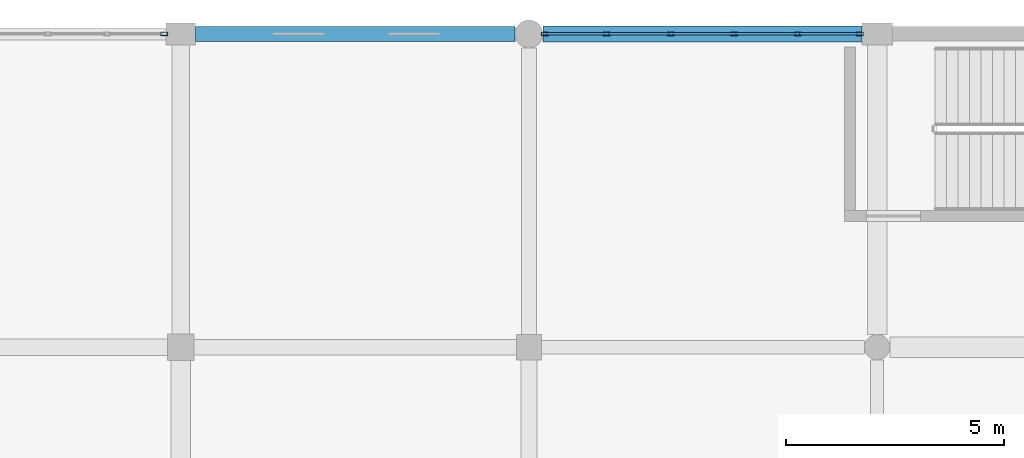
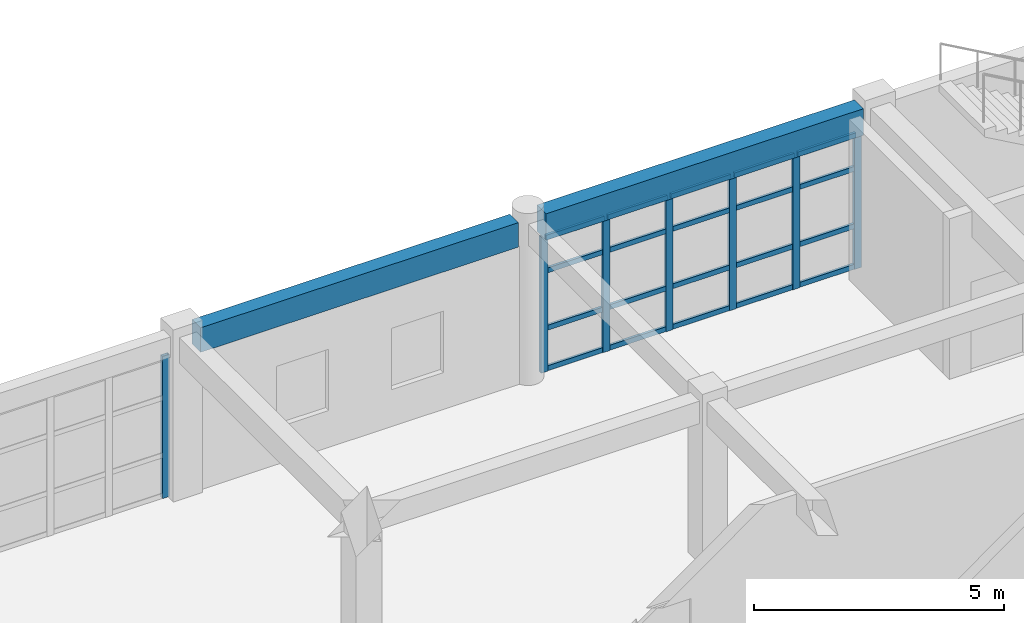
# One storey, part 30 of 53: 27 members, 2 beams, 2 elements without a shape of their own.
"""IFC4 building model written with IfcOpenShell, lengths in metres."""

import ifcopenshell
import ifcopenshell.guid

model = None  # the IFC model being written
_history = None  # IfcOwnerHistory: only IFC2X3 demands one
_inside = {}  # id of a spatial element -> (the spatial element, [elements in it])
_under = {}  # id of a project, library or spatial element -> (it, [spatial elements below it])
_declared = {}  # id of a project -> (the project, [libraries it declares])
_typed = {}  # id of a type object -> (the type object, [elements of that type])
_made_of = {}  # id of a material, layer set ... -> (it, [elements and type objects made of it])


def new_model(schema):
    """Start an empty IFC model of exactly this schema.

    Asked for "IFC4X3", IfcOpenShell would pick the latest addendum, in which some entities
    have other attributes; the version numbers below select the first issue.
    IFC2X3 requires an IfcOwnerHistory on every rooted entity: one is made here for all.
    """
    global model, _history
    if schema == "IFC4X3":
        model = ifcopenshell.file(schema_version=(4, 3, 0, 0))
    else:
        model = ifcopenshell.file(schema=schema)
    _inside.clear()
    _under.clear()
    _declared.clear()
    _typed.clear()
    _made_of.clear()
    _history = None
    if model.schema == "IFC2X3":
        org = make("IfcOrganization", Name="unknown")
        user = make(
            "IfcPersonAndOrganization",
            ThePerson=make("IfcPerson", FamilyName="unknown"),
            TheOrganization=org,
        )
        app = make(
            "IfcApplication",
            ApplicationDeveloper=org,
            Version="unknown",
            ApplicationFullName="unknown",
            ApplicationIdentifier="unknown",
        )
        _history = make(
            "IfcOwnerHistory",
            OwningUser=user,
            OwningApplication=app,
            ChangeAction="ADDED",
            CreationDate=0,
        )
    return model


def make(cls, **values):
    """One entity of the class cls with the attributes given. An attribute that is None is left unset."""
    return model.create_entity(
        cls, **{name: value for name, value in values.items() if value is not None}
    )


def rooted(cls, **values):
    """An entity with a GlobalId (a new one), such as an element, a storey or a relation."""
    return make(cls, GlobalId=ifcopenshell.guid.new(), OwnerHistory=_history, **values)


def si_unit(unit_type, name, prefix=None):
    """IfcSIUnit, for example si_unit("LENGTHUNIT", "METRE", prefix="MILLI")."""
    return make("IfcSIUnit", UnitType=unit_type, Prefix=prefix, Name=name)


def assignment(units):
    """IfcUnitAssignment: the units of a project."""
    return None if units is None else make("IfcUnitAssignment", Units=units)


def point(xyz):
    """IfcCartesianPoint."""
    return None if xyz is None else make("IfcCartesianPoint", Coordinates=xyz)


def direction(xyz):
    """IfcDirection."""
    return None if xyz is None else make("IfcDirection", DirectionRatios=xyz)


def frame(location, z_axis=None, x_axis=None):
    """IfcAxis2Placement3D, a coordinate frame: its origin and axes. An axis left out is left unset."""
    return make(
        "IfcAxis2Placement3D",
        Location=point(location),
        Axis=direction(z_axis),
        RefDirection=direction(x_axis),
    )


def frame_2d(location, x_axis=None):
    """IfcAxis2Placement2D, a coordinate frame in the plane: its origin and x axis."""
    return make(
        "IfcAxis2Placement2D", Location=point(location), RefDirection=direction(x_axis)
    )


def origin():
    """The frame at (0, 0, 0) with its axes left unset."""
    return frame((0.0, 0.0, 0.0))


def origin_2d():
    """The frame at (0, 0) in the plane with its x axis left unset."""
    return frame_2d((0.0, 0.0))


def place(relative_to, where):
    """IfcLocalPlacement: puts the frame where relative to a parent placement (None: the world)."""
    return make(
        "IfcLocalPlacement", PlacementRelTo=relative_to, RelativePlacement=where
    )


def context(
    kind, dimensions, precision=None, world=None, true_north=None, identifier=None
):
    """IfcGeometricRepresentationContext, for example the 3D "Model" context."""
    return make(
        "IfcGeometricRepresentationContext",
        ContextIdentifier=identifier,
        ContextType=kind,
        CoordinateSpaceDimension=dimensions,
        Precision=precision,
        WorldCoordinateSystem=world,
        TrueNorth=true_north,
    )


def subcontext(parent, identifier, kind, view, scale=None):
    """IfcGeometricRepresentationSubContext, for example "Body" below "Model"."""
    return make(
        "IfcGeometricRepresentationSubContext",
        ContextIdentifier=identifier,
        ContextType=kind,
        ParentContext=parent,
        TargetScale=scale,
        TargetView=view,
    )


def project(units=None, contexts=None):
    """IfcProject with its units and contexts."""
    return rooted(
        "IfcProject",
        Name="project",
        RepresentationContexts=contexts,
        UnitsInContext=assignment(units),
    )


def spatial(cls, under=None, at=None, **own):
    """A site, building, storey or space (cls), placed at a placement, below another one or the project."""
    s = rooted(cls, ObjectPlacement=at, **own)
    if under is not None:
        _under.setdefault(under.id(), (under, []))[1].append(s)
    return s


def profile(cls, at=None, kind="AREA", **sizes):
    """A parametric profile (cls). Its sizes go by their IFC names, for example OverallWidth=200.0."""
    return make(cls, ProfileType=kind, Position=at, **sizes)


def rectangle(**sizes):
    """IfcRectangleProfileDef."""
    return profile("IfcRectangleProfileDef", **sizes)


def hollow_rectangle(**sizes):
    """IfcRectangleHollowProfileDef."""
    return profile("IfcRectangleHollowProfileDef", **sizes)


def extrude(swept, where, along, depth):
    """IfcExtrudedAreaSolid: the profile swept, set in the frame where, extruded along a direction by depth."""
    return make(
        "IfcExtrudedAreaSolid",
        SweptArea=swept,
        Position=where,
        ExtrudedDirection=direction(along),
        Depth=depth,
    )


def shape(context_of_items, identifier, shape_type, items):
    """IfcShapeRepresentation: the items that make up one representation, for example the "Body"."""
    return make(
        "IfcShapeRepresentation",
        ContextOfItems=context_of_items,
        RepresentationIdentifier=identifier,
        RepresentationType=shape_type,
        Items=items,
    )


def material(Name=None, Category=None):
    """IfcMaterial."""
    return make("IfcMaterial", Name=Name, Category=Category)


def material_profile(
    of_material, cross_section, Name=None, Category=None, Priority=None
):
    """IfcMaterialProfile: a cross section and its material."""
    return make(
        "IfcMaterialProfile",
        Name=Name,
        Material=of_material,
        Profile=cross_section,
        Priority=Priority,
        Category=Category,
    )


def profile_set(profiles, Name=None, composite=None):
    """IfcMaterialProfileSet."""
    return make(
        "IfcMaterialProfileSet",
        Name=Name,
        MaterialProfiles=profiles,
        CompositeProfile=composite,
    )


def made_of(thing, what):
    """Note that an element or type object is made of a material, layer set ...; save() writes the relation."""
    if what is not None:
        _made_of.setdefault(what.id(), (what, []))[1].append(thing)
    return thing


def type_object(cls, material=None, **own):
    """A type object (cls), such as IfcWallType, which elements share."""
    return made_of(rooted(cls, **own), material)


def element(
    cls,
    number,
    at=None,
    inside=None,
    cuts=None,
    type_object=None,
    material=None,
    context=None,
    identifier="Body",
    shape_type=None,
    held_by="IfcProductDefinitionShape",
    body=None,
    shapes=None,
    **own,
):
    """One element of the class cls, such as IfcWall. Its Tag is "e" and its number.

    at: its placement. inside: the storey or other place that contains it. cuts: it is an
    opening in that element (IfcRelVoidsElement). A single representation is given by context,
    identifier, shape_type and body (its items); several are given by shapes. held_by: the class
    of the entity that holds the representations. save() writes the other relations.
    """
    e = rooted(cls, Tag="e%d" % number, ObjectPlacement=at, **own)
    if body is not None:
        shapes = [shape(context, identifier, shape_type, body)]
    if shapes is not None:
        e.Representation = make(held_by, Representations=shapes)
    if inside is not None:
        _inside.setdefault(inside.id(), (inside, []))[1].append(e)
    if cuts is not None:
        rooted(
            "IfcRelVoidsElement", RelatingBuildingElement=cuts, RelatedOpeningElement=e
        )
    if type_object is not None:
        _typed.setdefault(type_object.id(), (type_object, []))[1].append(e)
    return made_of(e, material)


def aggregate(whole, parts):
    """IfcRelAggregates: a whole, such as a stair, and the parts it consists of."""
    return rooted("IfcRelAggregates", RelatingObject=whole, RelatedObjects=parts)


def save(model, path):
    """Write the relations noted so far, then the file.

    IfcRelAggregates (storeys below a building ...), IfcRelContainedInSpatialStructure (elements
    in a storey), IfcRelDefinesByType, IfcRelAssociatesMaterial and IfcRelDeclares: one each for
    every whole, place, type object, material and project.
    """
    for whole, parts in _under.values():
        aggregate(whole, parts)
    for where, things in _inside.values():
        rooted(
            "IfcRelContainedInSpatialStructure",
            RelatedElements=things,
            RelatingStructure=where,
        )
    for kind, things in _typed.values():
        rooted("IfcRelDefinesByType", RelatedObjects=things, RelatingType=kind)
    for what, things in _made_of.values():
        rooted("IfcRelAssociatesMaterial", RelatedObjects=things, RelatingMaterial=what)
    for by, libraries in _declared.values():
        rooted("IfcRelDeclares", RelatingContext=by, RelatedDefinitions=libraries)
    model.write(path)


model = new_model("IFC4")

# Units and contexts
model_context = context("Model", 3, precision=1e-05, world=origin(), true_north=direction((0.0, 1.0)))
body_context = subcontext(model_context, "Body", "Model", "MODEL_VIEW")
ifc_project = project(units=[si_unit("LENGTHUNIT", "METRE"), si_unit("AREAUNIT", "SQUARE_METRE"), si_unit("VOLUMEUNIT", "CUBIC_METRE"), si_unit("PLANEANGLEUNIT", "RADIAN"), si_unit("MASSUNIT", "GRAM", prefix="KILO")], contexts=[model_context])

# Site, building, storey
site_placement = place(None, origin())
site = spatial("IfcSite", under=ifc_project, at=site_placement, CompositionType="ELEMENT")
building_placement = place(site_placement, origin())
building = spatial("IfcBuilding", under=site, at=building_placement, Name="Kharva Crest Polytechnic", CompositionType="ELEMENT")
storey_placement = place(building_placement, frame((0.0, 0.0, 17.39990234375)))
storey = spatial("IfcBuildingStorey", under=building, at=storey_placement, Name="L04", CompositionType="ELEMENT", Elevation=17.39990234375)

# Curtain wall, members
ifc_material_1 = material(Name="Tempered insulated glass", Category="glass")
curtain_wall_type = type_object("IfcCurtainWallType", Name="CW-SYS-STUDIO", PredefinedType="USERDEFINED", material=ifc_material_1)
curtain_wall_1_placement = place(storey_placement, origin())
curtain_wall_1 = element("IfcCurtainWall", 1, at=curtain_wall_1_placement, inside=storey, type_object=curtain_wall_type, Name="L04 Glazed Curtain Wall CW-175", ObjectType="CURTAIN WALL", PredefinedType="USERDEFINED")
ifc_material_2 = material(Name="Steel S355", Category="steel")
ifc_material_profile_1 = material_profile(ifc_material_2, hollow_rectangle(XDim=0.080078125, YDim=0.159912109375, WallThickness=0.0048828125, at=origin_2d()), Name="RHS 160X80X5.0")
ifc_profile_set_1 = profile_set([ifc_material_profile_1], Name="Steel S355")
member_type_1 = type_object("IfcMemberType", Name="CWM-RHS160X80", PredefinedType="MULLION", material=ifc_profile_set_1)
member_1_placement = place(storey_placement, frame((144.405029296875, 122.0, 0.0), z_axis=(0.0, 0.0, 1.0), x_axis=(0.0, -1.0, 0.0)))
member_1 = element("IfcMember", 2, at=member_1_placement, type_object=member_type_1, Name="CW-175 mullion 1", PredefinedType="MULLION", context=body_context, shape_type="SweptSolid", body=[
    extrude(hollow_rectangle(XDim=0.080078125, YDim=0.159912109375, WallThickness=0.0048828125, at=origin_2d()), origin(), (0.0, 0.0, 1.0), 3.320068359375),
])
member_2_placement = place(storey_placement, frame((142.98095703125, 122.0, 0.0), z_axis=(0.0, 0.0, 1.0), x_axis=(0.0, -1.0, 0.0)))
member_2 = element("IfcMember", 3, at=member_2_placement, type_object=member_type_1, Name="CW-175 mullion 2", PredefinedType="MULLION", context=body_context, shape_type="SweptSolid", body=[
    extrude(hollow_rectangle(XDim=0.080078125, YDim=0.159912109375, WallThickness=0.0048828125, at=origin_2d()), origin(), (0.0, 0.0, 1.0), 3.320068359375),
])
member_3_placement = place(storey_placement, frame((141.51708984375, 122.0, 0.0), z_axis=(0.0, 0.0, 1.0), x_axis=(0.0, -1.0, 0.0)))
member_3 = element("IfcMember", 4, at=member_3_placement, type_object=member_type_1, Name="CW-175 mullion 3", PredefinedType="MULLION", context=body_context, shape_type="SweptSolid", body=[
    extrude(hollow_rectangle(XDim=0.080078125, YDim=0.159912109375, WallThickness=0.0048828125, at=origin_2d()), origin(), (0.0, 0.0, 1.0), 3.320068359375),
])
member_4_placement = place(storey_placement, frame((140.052978515625, 122.0, 0.0), z_axis=(0.0, 0.0, 1.0), x_axis=(0.0, -1.0, 0.0)))
member_4 = element("IfcMember", 5, at=member_4_placement, type_object=member_type_1, Name="CW-175 mullion 4", PredefinedType="MULLION", context=body_context, shape_type="SweptSolid", body=[
    extrude(hollow_rectangle(XDim=0.080078125, YDim=0.159912109375, WallThickness=0.0048828125, at=origin_2d()), origin(), (0.0, 0.0, 1.0), 3.320068359375),
])
member_5_placement = place(storey_placement, frame((138.589111328125, 122.0, 0.0), z_axis=(0.0, 0.0, 1.0), x_axis=(0.0, -1.0, 0.0)))
member_5 = element("IfcMember", 6, at=member_5_placement, type_object=member_type_1, Name="CW-175 mullion 5", PredefinedType="MULLION", context=body_context, shape_type="SweptSolid", body=[
    extrude(hollow_rectangle(XDim=0.080078125, YDim=0.159912109375, WallThickness=0.0048828125, at=origin_2d()), origin(), (0.0, 0.0, 1.0), 3.320068359375),
])
member_6_placement = place(storey_placement, frame((137.1650390625, 122.0, 0.0), z_axis=(0.0, 0.0, 1.0), x_axis=(0.0, -1.0, 0.0)))
member_6 = element("IfcMember", 7, at=member_6_placement, type_object=member_type_1, Name="CW-175 mullion 6", PredefinedType="MULLION", context=body_context, shape_type="SweptSolid", body=[
    extrude(hollow_rectangle(XDim=0.080078125, YDim=0.159912109375, WallThickness=0.0048828125, at=origin_2d()), origin(), (0.0, 0.0, 1.0), 3.320068359375),
])

# Curtain wall, member
curtain_wall_2_placement = place(storey_placement, origin())
curtain_wall_2 = element("IfcCurtainWall", 8, at=curtain_wall_2_placement, inside=storey, type_object=curtain_wall_type, Name="L04 Glazed Curtain Wall CW-176", ObjectType="CURTAIN WALL", PredefinedType="USERDEFINED")
member_7_placement = place(storey_placement, frame((128.4150390625, 122.0, 0.0), z_axis=(0.0, 0.0, 1.0), x_axis=(0.0, -1.0, 0.0)))
member_7 = element("IfcMember", 9, at=member_7_placement, type_object=member_type_1, Name="CW-176 mullion 1", PredefinedType="MULLION", context=body_context, shape_type="SweptSolid", body=[
    extrude(hollow_rectangle(XDim=0.080078125, YDim=0.159912109375, WallThickness=0.0048828125, at=origin_2d()), origin(), (0.0, 0.0, 1.0), 3.47021484375),
])
aggregate(curtain_wall_2, [member_7])

# Member
ifc_material_profile_2 = material_profile(ifc_material_2, hollow_rectangle(XDim=0.06005859375, YDim=0.1201171875, WallThickness=0.00390625, at=origin_2d()), Name="RHS 120X60X4.0")
ifc_profile_set_2 = profile_set([ifc_material_profile_2], Name="Steel S355")
member_type_2 = type_object("IfcMemberType", Name="CWT-RHS120X60", PredefinedType="USERDEFINED", material=ifc_profile_set_2)
member_8_placement = place(storey_placement, frame((144.364990234375, 122.0, 0.06005859375), z_axis=(-1.0, 0.0, 0.0), x_axis=(0.0, -1.0, 0.0)))
member_8 = element("IfcMember", 10, at=member_8_placement, type_object=member_type_2, Name="CW-175 transom 1.1", ObjectType="TRANSOM", PredefinedType="USERDEFINED", context=body_context, shape_type="SweptSolid", body=[
    extrude(hollow_rectangle(XDim=0.06005859375, YDim=0.1201171875, WallThickness=0.00390625, at=origin_2d()), origin(), (0.0, 0.0, 1.0), 1.343994140625),
])

member_9_placement = place(storey_placement, frame((144.364990234375, 122.0, 1.050048828125), z_axis=(-1.0, 0.0, 0.0), x_axis=(0.0, -1.0, 0.0)))
member_9 = element("IfcMember", 11, at=member_9_placement, type_object=member_type_2, Name="CW-175 transom 1.2", ObjectType="TRANSOM", PredefinedType="USERDEFINED", context=body_context, shape_type="SweptSolid", body=[
    extrude(hollow_rectangle(XDim=0.06005859375, YDim=0.1201171875, WallThickness=0.00390625, at=origin_2d()), origin(), (0.0, 0.0, 1.0), 1.343994140625),
])

member_10_placement = place(storey_placement, frame((144.364990234375, 122.0, 2.4501953125), z_axis=(-1.0, 0.0, 0.0), x_axis=(0.0, -1.0, 0.0)))
member_10 = element("IfcMember", 12, at=member_10_placement, type_object=member_type_2, Name="CW-175 transom 1.3", ObjectType="TRANSOM", PredefinedType="USERDEFINED", context=body_context, shape_type="SweptSolid", body=[
    extrude(hollow_rectangle(XDim=0.06005859375, YDim=0.1201171875, WallThickness=0.00390625, at=origin_2d()), origin(), (0.0, 0.0, 1.0), 1.343994140625),
])

member_11_placement = place(storey_placement, frame((144.364990234375, 122.0, 3.260009765625), z_axis=(-1.0, 0.0, 0.0), x_axis=(0.0, -1.0, 0.0)))
member_11 = element("IfcMember", 13, at=member_11_placement, type_object=member_type_2, Name="CW-175 transom 1.4", ObjectType="TRANSOM", PredefinedType="USERDEFINED", context=body_context, shape_type="SweptSolid", body=[
    extrude(hollow_rectangle(XDim=0.06005859375, YDim=0.1201171875, WallThickness=0.00390625, at=origin_2d()), origin(), (0.0, 0.0, 1.0), 1.343994140625),
])

member_12_placement = place(storey_placement, frame((142.94091796875, 122.0, 0.06005859375), z_axis=(-1.0, 0.0, 0.0), x_axis=(0.0, -1.0, 0.0)))
member_12 = element("IfcMember", 14, at=member_12_placement, type_object=member_type_2, Name="CW-175 transom 2.1", ObjectType="TRANSOM", PredefinedType="USERDEFINED", context=body_context, shape_type="SweptSolid", body=[
    extrude(hollow_rectangle(XDim=0.06005859375, YDim=0.1201171875, WallThickness=0.00390625, at=origin_2d()), origin(), (0.0, 0.0, 1.0), 1.384033203125),
])

member_13_placement = place(storey_placement, frame((142.94091796875, 122.0, 1.050048828125), z_axis=(-1.0, 0.0, 0.0), x_axis=(0.0, -1.0, 0.0)))
member_13 = element("IfcMember", 15, at=member_13_placement, type_object=member_type_2, Name="CW-175 transom 2.2", ObjectType="TRANSOM", PredefinedType="USERDEFINED", context=body_context, shape_type="SweptSolid", body=[
    extrude(hollow_rectangle(XDim=0.06005859375, YDim=0.1201171875, WallThickness=0.00390625, at=origin_2d()), origin(), (0.0, 0.0, 1.0), 1.384033203125),
])

member_14_placement = place(storey_placement, frame((142.94091796875, 122.0, 2.4501953125), z_axis=(-1.0, 0.0, 0.0), x_axis=(0.0, -1.0, 0.0)))
member_14 = element("IfcMember", 16, at=member_14_placement, type_object=member_type_2, Name="CW-175 transom 2.3", ObjectType="TRANSOM", PredefinedType="USERDEFINED", context=body_context, shape_type="SweptSolid", body=[
    extrude(hollow_rectangle(XDim=0.06005859375, YDim=0.1201171875, WallThickness=0.00390625, at=origin_2d()), origin(), (0.0, 0.0, 1.0), 1.384033203125),
])

member_15_placement = place(storey_placement, frame((142.94091796875, 122.0, 3.260009765625), z_axis=(-1.0, 0.0, 0.0), x_axis=(0.0, -1.0, 0.0)))
member_15 = element("IfcMember", 17, at=member_15_placement, type_object=member_type_2, Name="CW-175 transom 2.4", ObjectType="TRANSOM", PredefinedType="USERDEFINED", context=body_context, shape_type="SweptSolid", body=[
    extrude(hollow_rectangle(XDim=0.06005859375, YDim=0.1201171875, WallThickness=0.00390625, at=origin_2d()), origin(), (0.0, 0.0, 1.0), 1.384033203125),
])

member_16_placement = place(storey_placement, frame((141.47705078125, 122.0, 0.06005859375), z_axis=(-1.0, 0.0, 0.0), x_axis=(0.0, -1.0, 0.0)))
member_16 = element("IfcMember", 18, at=member_16_placement, type_object=member_type_2, Name="CW-175 transom 3.1", ObjectType="TRANSOM", PredefinedType="USERDEFINED", context=body_context, shape_type="SweptSolid", body=[
    extrude(hollow_rectangle(XDim=0.06005859375, YDim=0.1201171875, WallThickness=0.00390625, at=origin_2d()), origin(), (0.0, 0.0, 1.0), 1.384033203125),
])

member_17_placement = place(storey_placement, frame((141.47705078125, 122.0, 1.050048828125), z_axis=(-1.0, 0.0, 0.0), x_axis=(0.0, -1.0, 0.0)))
member_17 = element("IfcMember", 19, at=member_17_placement, type_object=member_type_2, Name="CW-175 transom 3.2", ObjectType="TRANSOM", PredefinedType="USERDEFINED", context=body_context, shape_type="SweptSolid", body=[
    extrude(hollow_rectangle(XDim=0.06005859375, YDim=0.1201171875, WallThickness=0.00390625, at=origin_2d()), origin(), (0.0, 0.0, 1.0), 1.384033203125),
])

member_18_placement = place(storey_placement, frame((141.47705078125, 122.0, 2.4501953125), z_axis=(-1.0, 0.0, 0.0), x_axis=(0.0, -1.0, 0.0)))
member_18 = element("IfcMember", 20, at=member_18_placement, type_object=member_type_2, Name="CW-175 transom 3.3", ObjectType="TRANSOM", PredefinedType="USERDEFINED", context=body_context, shape_type="SweptSolid", body=[
    extrude(hollow_rectangle(XDim=0.06005859375, YDim=0.1201171875, WallThickness=0.00390625, at=origin_2d()), origin(), (0.0, 0.0, 1.0), 1.384033203125),
])

member_19_placement = place(storey_placement, frame((141.47705078125, 122.0, 3.260009765625), z_axis=(-1.0, 0.0, 0.0), x_axis=(0.0, -1.0, 0.0)))
member_19 = element("IfcMember", 21, at=member_19_placement, type_object=member_type_2, Name="CW-175 transom 3.4", ObjectType="TRANSOM", PredefinedType="USERDEFINED", context=body_context, shape_type="SweptSolid", body=[
    extrude(hollow_rectangle(XDim=0.06005859375, YDim=0.1201171875, WallThickness=0.00390625, at=origin_2d()), origin(), (0.0, 0.0, 1.0), 1.384033203125),
])

member_20_placement = place(storey_placement, frame((140.012939453125, 122.0, 0.06005859375), z_axis=(-1.0, 0.0, 0.0), x_axis=(0.0, -1.0, 0.0)))
member_20 = element("IfcMember", 22, at=member_20_placement, type_object=member_type_2, Name="CW-175 transom 4.1", ObjectType="TRANSOM", PredefinedType="USERDEFINED", context=body_context, shape_type="SweptSolid", body=[
    extrude(hollow_rectangle(XDim=0.06005859375, YDim=0.1201171875, WallThickness=0.00390625, at=origin_2d()), origin(), (0.0, 0.0, 1.0), 1.384033203125),
])

member_21_placement = place(storey_placement, frame((140.012939453125, 122.0, 1.050048828125), z_axis=(-1.0, 0.0, 0.0), x_axis=(0.0, -1.0, 0.0)))
member_21 = element("IfcMember", 23, at=member_21_placement, type_object=member_type_2, Name="CW-175 transom 4.2", ObjectType="TRANSOM", PredefinedType="USERDEFINED", context=body_context, shape_type="SweptSolid", body=[
    extrude(hollow_rectangle(XDim=0.06005859375, YDim=0.1201171875, WallThickness=0.00390625, at=origin_2d()), origin(), (0.0, 0.0, 1.0), 1.384033203125),
])

member_22_placement = place(storey_placement, frame((140.012939453125, 122.0, 2.4501953125), z_axis=(-1.0, 0.0, 0.0), x_axis=(0.0, -1.0, 0.0)))
member_22 = element("IfcMember", 24, at=member_22_placement, type_object=member_type_2, Name="CW-175 transom 4.3", ObjectType="TRANSOM", PredefinedType="USERDEFINED", context=body_context, shape_type="SweptSolid", body=[
    extrude(hollow_rectangle(XDim=0.06005859375, YDim=0.1201171875, WallThickness=0.00390625, at=origin_2d()), origin(), (0.0, 0.0, 1.0), 1.384033203125),
])

member_23_placement = place(storey_placement, frame((140.012939453125, 122.0, 3.260009765625), z_axis=(-1.0, 0.0, 0.0), x_axis=(0.0, -1.0, 0.0)))
member_23 = element("IfcMember", 25, at=member_23_placement, type_object=member_type_2, Name="CW-175 transom 4.4", ObjectType="TRANSOM", PredefinedType="USERDEFINED", context=body_context, shape_type="SweptSolid", body=[
    extrude(hollow_rectangle(XDim=0.06005859375, YDim=0.1201171875, WallThickness=0.00390625, at=origin_2d()), origin(), (0.0, 0.0, 1.0), 1.384033203125),
])

member_24_placement = place(storey_placement, frame((138.549072265625, 122.0, 0.06005859375), z_axis=(-1.0, 0.0, 0.0), x_axis=(0.0, -1.0, 0.0)))
member_24 = element("IfcMember", 26, at=member_24_placement, type_object=member_type_2, Name="CW-175 transom 5.1", ObjectType="TRANSOM", PredefinedType="USERDEFINED", context=body_context, shape_type="SweptSolid", body=[
    extrude(hollow_rectangle(XDim=0.06005859375, YDim=0.1201171875, WallThickness=0.00390625, at=origin_2d()), origin(), (0.0, 0.0, 1.0), 1.343994140625),
])

member_25_placement = place(storey_placement, frame((138.549072265625, 122.0, 1.050048828125), z_axis=(-1.0, 0.0, 0.0), x_axis=(0.0, -1.0, 0.0)))
member_25 = element("IfcMember", 27, at=member_25_placement, type_object=member_type_2, Name="CW-175 transom 5.2", ObjectType="TRANSOM", PredefinedType="USERDEFINED", context=body_context, shape_type="SweptSolid", body=[
    extrude(hollow_rectangle(XDim=0.06005859375, YDim=0.1201171875, WallThickness=0.00390625, at=origin_2d()), origin(), (0.0, 0.0, 1.0), 1.343994140625),
])

member_26_placement = place(storey_placement, frame((138.549072265625, 122.0, 2.4501953125), z_axis=(-1.0, 0.0, 0.0), x_axis=(0.0, -1.0, 0.0)))
member_26 = element("IfcMember", 28, at=member_26_placement, type_object=member_type_2, Name="CW-175 transom 5.3", ObjectType="TRANSOM", PredefinedType="USERDEFINED", context=body_context, shape_type="SweptSolid", body=[
    extrude(hollow_rectangle(XDim=0.06005859375, YDim=0.1201171875, WallThickness=0.00390625, at=origin_2d()), origin(), (0.0, 0.0, 1.0), 1.343994140625),
])

member_27_placement = place(storey_placement, frame((138.549072265625, 122.0, 3.260009765625), z_axis=(-1.0, 0.0, 0.0), x_axis=(0.0, -1.0, 0.0)))
member_27 = element("IfcMember", 29, at=member_27_placement, type_object=member_type_2, Name="CW-175 transom 5.4", ObjectType="TRANSOM", PredefinedType="USERDEFINED", context=body_context, shape_type="SweptSolid", body=[
    extrude(hollow_rectangle(XDim=0.06005859375, YDim=0.1201171875, WallThickness=0.00390625, at=origin_2d()), origin(), (0.0, 0.0, 1.0), 1.343994140625),
])

aggregate(curtain_wall_1, [member_1, member_2, member_3, member_4, member_5, member_6, member_8, member_9, member_10, member_11, member_12, member_13, member_14, member_15, member_16, member_17, member_18, member_19, member_20, member_21, member_22, member_23, member_24, member_25, member_26, member_27])

# Beams
ifc_material_3 = material(Name="Concrete C35/45", Category="concrete")
ifc_material_profile_3 = material_profile(ifc_material_3, rectangle(XDim=0.340087890625, YDim=0.60009765625, at=origin_2d()), Name="RECT 340 X 600")
ifc_profile_set_3 = profile_set([ifc_material_profile_3], Name="Concrete C35/45")
beam_type_1 = type_object("IfcBeamType", Name="SP-RC-340X600", PredefinedType="SPANDREL", material=ifc_profile_set_3)
beam_1_placement = place(storey_placement, frame((129.139892578125, 122.0, 3.670166015625), z_axis=(1.0, 0.0, 0.0), x_axis=(0.0, 1.0, 0.0)))
element("IfcBeam", 30, at=beam_1_placement, inside=storey, type_object=beam_type_1, Name="L04 Beam S/17-18", PredefinedType="SPANDREL", context=body_context, shape_type="SweptSolid", body=[
    extrude(rectangle(XDim=0.340087890625, YDim=0.60009765625, at=origin_2d()), origin(), (0.0, 0.0, 1.0), 7.340087890625),
])
ifc_material_profile_4 = material_profile(ifc_material_3, rectangle(XDim=0.360107421875, YDim=0.64990234375, at=origin_2d()), Name="RECT 360 X 650")
ifc_profile_set_4 = profile_set([ifc_material_profile_4], Name="Concrete C35/45")
beam_type_2 = type_object("IfcBeamType", Name="SP-RC-360X650", PredefinedType="SPANDREL", material=ifc_profile_set_4)
beam_2_placement = place(storey_placement, frame((137.1201171875, 122.0, 3.64501953125), z_axis=(1.0, 0.0, 0.0), x_axis=(0.0, 1.0, 0.0)))
element("IfcBeam", 31, at=beam_2_placement, inside=storey, type_object=beam_type_2, Name="L04 Beam S/18-19", PredefinedType="SPANDREL", context=body_context, shape_type="SweptSolid", body=[
    extrude(rectangle(XDim=0.360107421875, YDim=0.64990234375, at=origin_2d()), origin(), (0.0, 0.0, 1.0), 7.329833984375),
])

save(model, "model.ifc")
